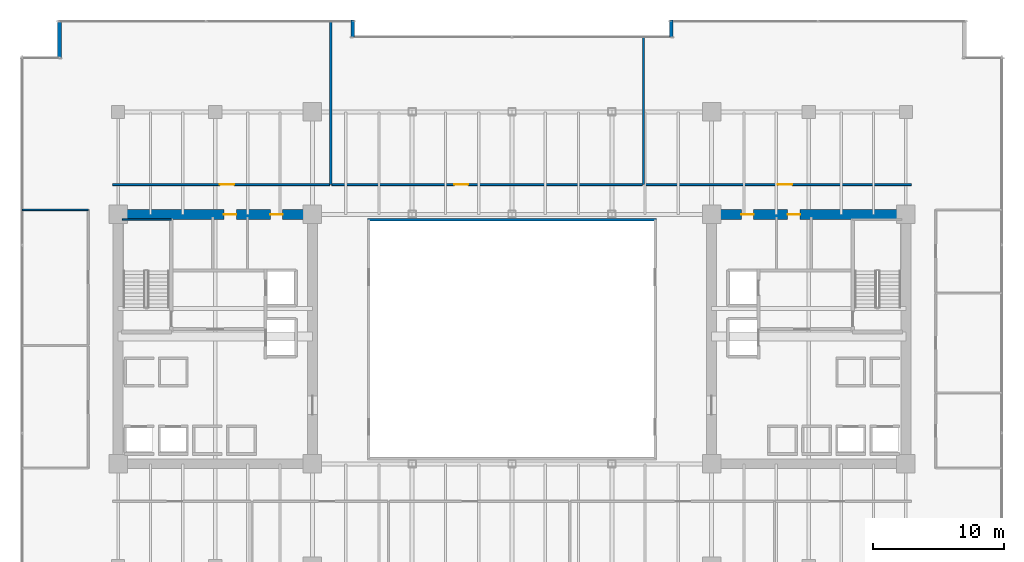
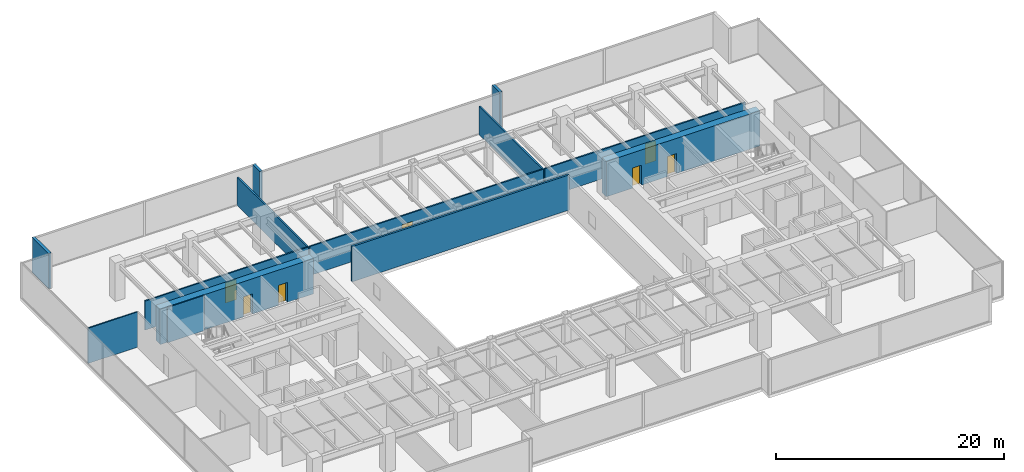
# One storey, part 31 of 35: 13 walls, 7 doors, 7 openings.
"""IFC4 building model written with IfcOpenShell, lengths in metres."""

from ifc_helpers import new_model, si_unit, direction, frame, frame_2d, origin, place, context, subcontext, project, spatial, rectangle, extrude, source, transform, mapped, material, layer, layer_set, type_object, type_shapes, element, fill, save


model = new_model("IFC4")

# Units and contexts
model_context = context("Model", 3, precision=1e-05, world=origin(), true_north=direction((0.0, 1.0)))
body_context = subcontext(model_context, "Body", "Model", "MODEL_VIEW")
ifc_project = project(units=[si_unit("LENGTHUNIT", "METRE"), si_unit("AREAUNIT", "SQUARE_METRE"), si_unit("VOLUMEUNIT", "CUBIC_METRE"), si_unit("PLANEANGLEUNIT", "RADIAN"), si_unit("MASSUNIT", "GRAM", prefix="KILO")], contexts=[model_context])

# Site, building, storey
site_placement = place(None, origin())
site = spatial("IfcSite", under=ifc_project, at=site_placement, CompositionType="ELEMENT")
building_placement = place(site_placement, origin())
building = spatial("IfcBuilding", under=site, at=building_placement, Name="Haelvirn Gate Laboratories", CompositionType="ELEMENT")
storey_placement = place(building_placement, frame((0.0, 0.0, 86.699951171875)))
storey = spatial("IfcBuildingStorey", under=building, at=storey_placement, Name="L21", CompositionType="ELEMENT", Elevation=86.699951171875)

# Walls
ifc_material_1 = material(Name="Thermally-broken bronze aluminium rainscreen & mineral wool", Category="aluminium")
ifc_layer_1 = layer(ifc_material_1, 0.280029296875, Name="EW-TERR-280")
ifc_layer_set_1 = layer_set([ifc_layer_1], Name="Thermally-broken bronze aluminium rainscreen & mineral wool")
wall_type_1 = type_object("IfcWallType", Name="EW-TERR-280", PredefinedType="STANDARD", material=ifc_layer_set_1)
for number, where, z_axis, x_axis, name in (
    (1, (49.5400390625, 48.60009765625, 0.0), (0.0, 0.0, 1.0), (0.0, -1.0, 0.0), "L21 Atrium Recess Bronze Return Wall 11"),
    (2, (25.260009765625, 47.31201171875, 0.0), (0.0, 0.0, 1.0), (0.0, 1.0, 0.0), "L21 Atrium Recess Bronze Return Wall 13"),
):
    element("IfcWall", number, at=place(storey_placement, frame(where, z_axis=z_axis, x_axis=x_axis)), inside=storey, type_object=wall_type_1, Name=name, PredefinedType="STANDARD", context=body_context, shape_type="SweptSolid", body=[
        extrude(rectangle(XDim=1.2880859375, YDim=0.280029296875, at=frame_2d((0.64404296875, 0.0))), origin(), (0.0, 0.0, 1.0), 3.780029296875),
    ])
wall_1_placement = place(storey_placement, frame((2.93994140625, 48.60009765625, 0.0), z_axis=(0.0, 0.0, 1.0), x_axis=(0.0, -1.0, 0.0)))
element("IfcWall", 3, at=wall_1_placement, inside=storey, type_object=wall_type_1, Name="L21 Atrium Recess Bronze Return Wall 15", PredefinedType="STANDARD", context=body_context, shape_type="SweptSolid", body=[
    extrude(rectangle(XDim=2.88818359375, YDim=0.280029296875, at=frame_2d((1.444091796875, 0.0))), origin(), (0.0, 0.0, 1.0), 3.780029296875),
])
ifc_material_2 = material(Name="Double-layer acoustic gypsum laboratory partition", Category="gypsum")
ifc_layer_2 = layer(ifc_material_2, 0.159912109375, Name="IW-ACOUST-160")
ifc_layer_set_2 = layer_set([ifc_layer_2], Name="Double-layer acoustic gypsum laboratory partition")
wall_type_2 = type_object("IfcWallType", Name="IW-ACOUST-160", PredefinedType="PARTITIONING", material=ifc_layer_set_2)
wall_2_placement = place(storey_placement, frame((23.60009765625, 36.06005859375, 0.0), z_axis=(0.0, 0.0, 1.0), x_axis=(0.0, 1.0, 0.0)))
element("IfcWall", 4, at=wall_2_placement, inside=storey, type_object=wall_type_2, Name="L21 Interior Wall IW-L21-NDIV-01", PredefinedType="PARTITIONING", context=body_context, shape_type="SweptSolid", body=[
    extrude(rectangle(XDim=12.429931640625, YDim=0.159912109375, at=frame_2d((6.21484375, 0.0))), origin(), (0.0, 0.0, 1.0), 3.01513671875),
])
wall_3_placement = place(storey_placement, frame((47.39990234375, 36.06005859375, 0.0), z_axis=(0.0, 0.0, 1.0), x_axis=(0.0, 1.0, 0.0)))
element("IfcWall", 5, at=wall_3_placement, inside=storey, type_object=wall_type_2, Name="L21 Interior Wall IW-L21-NDIV-02", PredefinedType="PARTITIONING", context=body_context, shape_type="SweptSolid", body=[
    extrude(rectangle(XDim=11.22998046875, YDim=0.159912109375, at=frame_2d((5.614990234375, 0.0))), origin(), (0.0, 0.0, 1.0), 3.01513671875),
])
ifc_material_3 = material(Name="Tempered fire-rated borosilicate glass & anodised aluminium", Category="aluminium")
ifc_layer_3 = layer(ifc_material_3, 0.195068359375, Name="IW-GLAZ-200")
ifc_layer_set_3 = layer_set([ifc_layer_3], Name="Tempered fire-rated borosilicate glass & anodised aluminium")
wall_type_3 = type_object("IfcWallType", Name="IW-GLAZ-200", PredefinedType="SOLIDWALL", material=ifc_layer_set_3)
wall_4_placement = place(storey_placement, frame((26.39990234375, 33.39990234375, 0.0), z_axis=(0.0, 0.0, 1.0), x_axis=(1.0, 0.0, 0.0)))
element("IfcWall", 6, at=wall_4_placement, inside=storey, type_object=wall_type_3, Name="L21 Interior Wall IW-L21-ATRIUM-N", PredefinedType="SOLIDWALL", context=body_context, shape_type="SweptSolid", body=[
    extrude(rectangle(XDim=22.0, YDim=0.195068359375, at=frame_2d((11.0, 0.0))), origin(), (0.0, 0.0, 1.0), 3.780029296875),
])
ifc_material_4 = material(Name="Lightweight acoustic gypsum board partition", Category="gypsum")
ifc_layer_4 = layer(ifc_material_4, 0.1201171875, Name="IW-PART-120")
ifc_layer_set_4 = layer_set([ifc_layer_4], Name="Lightweight acoustic gypsum board partition")
wall_type_4 = type_object("IfcWallType", Name="IW-PART-120", PredefinedType="PARTITIONING", material=ifc_layer_set_4)
wall_5_placement = place(storey_placement, frame((0.110107421875, 34.135009765625, 0.0), z_axis=(0.0, 0.0, 1.0), x_axis=(1.0, 0.0, 0.0)))
element("IfcWall", 7, at=wall_5_placement, inside=storey, type_object=wall_type_4, Name="L21 Interior Wall IW-L21-WCAP-N", PredefinedType="PARTITIONING", context=body_context, shape_type="SweptSolid", body=[
    extrude(rectangle(XDim=5.019775390625, YDim=0.1201171875, at=frame_2d((2.509765625, 0.0))), origin(), (0.0, 0.0, 1.0), 3.780029296875),
])

# Wall, opening, door
ifc_material_5 = material(Name="Acoustic mineral-wool gypsum board partition", Category="gypsum")
ifc_layer_5 = layer(ifc_material_5, 0.139892578125, Name="IW-PART-140")
ifc_layer_set_5 = layer_set([ifc_layer_5], Name="Acoustic mineral-wool gypsum board partition")
wall_type_5 = type_object("IfcWallType", Name="IW-PART-140", PredefinedType="PARTITIONING", material=ifc_layer_set_5)
wall_6_placement = place(storey_placement, frame((6.97998046875, 36.06005859375, 0.0), z_axis=(0.0, 0.0, 1.0), x_axis=(1.0, 0.0, 0.0)))
wall_6 = element("IfcWall", 8, at=wall_6_placement, inside=storey, type_object=wall_type_5, Name="L21 Interior Wall IW-L21-NCORR-01", PredefinedType="PARTITIONING", context=body_context, shape_type="SweptSolid", body=[
    extrude(rectangle(XDim=16.5400390625, YDim=0.139892578125, at=frame_2d((8.27001953125, 0.0))), origin(), (0.0, 0.0, 1.0), 3.114990234375),
])
opening_1_placement = place(wall_6_placement, frame((8.162109375, 0.0, 0.0)))
opening_1 = element("IfcOpeningElement", 9, at=opening_1_placement, cuts=wall_6, Name="Opening D1", PredefinedType="OPENING", context=body_context, shape_type="SweptSolid", body=[
    extrude(rectangle(XDim=1.10009765625, YDim=2.179931640625, at=frame_2d((0.550048828125, 1.08984375))), frame((0.0, 0.080078125, 0.0), z_axis=(0.0, -1.0, 0.0), x_axis=(1.0, 0.0, 0.0)), (0.0, 0.0, 1.0), 0.159912109375),
])
ifc_material_6 = material(Name="Vision-panel acoustic solid-core timber lab door", Category="wood")
door_type_1 = type_object("IfcDoorType", Name="DR-LAB-1100", OperationType="NOTDEFINED", PredefinedType="DOOR", material=ifc_material_6)
shared_shape_1 = source(origin(), body_context, "Body", "SweptSolid", [
    extrude(rectangle(XDim=1.10009765625, YDim=2.179931640625, at=frame_2d((0.550048828125, 1.08984375))), frame((0.0, 0.02490234375, 0.0), z_axis=(0.0, -1.0, 0.0), x_axis=(1.0, 0.0, 0.0)), (0.0, 0.0, 1.0), 0.050048828125),
])
type_shapes(door_type_1, [shared_shape_1])
door_1_placement = place(opening_1_placement, origin())
door_1 = element("IfcDoor", 10, at=door_1_placement, inside=storey, type_object=door_type_1, Name="L21 Peer-Review Seminar Room Door N1", OperationType="SINGLE_SWING_LEFT", OverallHeight=2.179931640625, OverallWidth=1.10009765625, PredefinedType="DOOR", context=body_context, shape_type="MappedRepresentation", body=[
    mapped(shared_shape_1, transform((0.0, 0.0, 0.0), scale=1.0)),
])
fill(opening_1, door_1)

wall_7_placement = place(storey_placement, frame((23.679931640625, 36.06005859375, 0.0), z_axis=(0.0, 0.0, 1.0), x_axis=(1.0, 0.0, 0.0)))
wall_7 = element("IfcWall", 11, at=wall_7_placement, inside=storey, type_object=wall_type_5, Name="L21 Interior Wall IW-L21-NCORR-02", PredefinedType="PARTITIONING", context=body_context, shape_type="SweptSolid", body=[
    extrude(rectangle(XDim=23.64013671875, YDim=0.139892578125, at=frame_2d((11.820068359375, 0.0))), origin(), (0.0, 0.0, 1.0), 3.114990234375),
])
opening_2_placement = place(wall_7_placement, frame((9.304443359375, 0.0, 0.0)))
opening_2 = element("IfcOpeningElement", 12, at=opening_2_placement, cuts=wall_7, Name="Opening D1", PredefinedType="OPENING", context=body_context, shape_type="SweptSolid", body=[
    extrude(rectangle(XDim=1.10009765625, YDim=2.179931640625, at=frame_2d((0.550048828125, 1.08984375))), frame((0.0, 0.080078125, 0.0), z_axis=(0.0, -1.0, 0.0), x_axis=(1.0, 0.0, 0.0)), (0.0, 0.0, 1.0), 0.159912109375),
])
door_2_placement = place(opening_2_placement, origin())
door_2 = element("IfcDoor", 13, at=door_2_placement, inside=storey, type_object=door_type_1, Name="L21 Researcher Break Pantry Door N2", OperationType="SINGLE_SWING_RIGHT", OverallHeight=2.179931640625, OverallWidth=1.10009765625, PredefinedType="DOOR", context=body_context, shape_type="MappedRepresentation", body=[
    mapped(shared_shape_1, transform((0.0, 0.0, 0.0), scale=1.0)),
])
fill(opening_2, door_2)

wall_8_placement = place(storey_placement, frame((47.47998046875, 36.06005859375, 0.0), z_axis=(0.0, 0.0, 1.0), x_axis=(1.0, 0.0, 0.0)))
wall_8 = element("IfcWall", 14, at=wall_8_placement, inside=storey, type_object=wall_type_5, Name="L21 Interior Wall IW-L21-NCORR-03", PredefinedType="PARTITIONING", context=body_context, shape_type="SweptSolid", body=[
    extrude(rectangle(XDim=20.340087890625, YDim=0.139892578125, at=frame_2d((10.169921875, 0.0))), origin(), (0.0, 0.0, 1.0), 3.114990234375),
])
opening_3_placement = place(wall_8_placement, frame((10.17626953125, 0.0, 0.0)))
opening_3 = element("IfcOpeningElement", 15, at=opening_3_placement, cuts=wall_8, Name="Opening D1", PredefinedType="OPENING", context=body_context, shape_type="SweptSolid", body=[
    extrude(rectangle(XDim=1.10009765625, YDim=2.179931640625, at=frame_2d((0.550048828125, 1.08984375))), frame((0.0, 0.080078125, 0.0), z_axis=(0.0, -1.0, 0.0), x_axis=(1.0, 0.0, 0.0)), (0.0, 0.0, 1.0), 0.159912109375),
])
door_3_placement = place(opening_3_placement, origin())
door_3 = element("IfcDoor", 16, at=door_3_placement, inside=storey, type_object=door_type_1, Name="L21 Floor Hydration & Tea Servery Door N3", OperationType="SINGLE_SWING_LEFT", OverallHeight=2.179931640625, OverallWidth=1.10009765625, PredefinedType="DOOR", context=body_context, shape_type="MappedRepresentation", body=[
    mapped(shared_shape_1, transform((0.0, 0.0, 0.0), scale=1.0)),
])
fill(opening_3, door_3)

# Wall, openings, doors
ifc_material_7 = material(Name="Concrete C70/85", Category="concrete")
ifc_layer_6 = layer(ifc_material_7, 0.75, Name="SW-CORE-750")
ifc_layer_set_6 = layer_set([ifc_layer_6], Name="Concrete C70/85")
wall_type_6 = type_object("IfcWallType", Name="SW-CORE-750", PredefinedType="SHEAR", material=ifc_layer_set_6)
wall_9_placement = place(storey_placement, frame((7.02490234375, 33.800048828125, 0.0), z_axis=(0.0, 0.0, 1.0), x_axis=(1.0, 0.0, 0.0)))
wall_9 = element("IfcWall", 17, at=wall_9_placement, inside=storey, type_object=wall_type_6, Name="L21 W Core Shear Wall N", PredefinedType="SHEAR", context=body_context, shape_type="SweptSolid", body=[
    extrude(rectangle(XDim=15.550048828125, YDim=0.75, at=frame_2d((7.77490234375, 0.0))), origin(), (0.0, 0.0, 1.0), 3.780029296875),
])
opening_4_placement = place(wall_9_placement, frame((8.425048828125, 0.0, 0.0)))
opening_4 = element("IfcOpeningElement", 18, at=opening_4_placement, cuts=wall_9, Name="Opening FD4", PredefinedType="OPENING", context=body_context, shape_type="SweptSolid", body=[
    extrude(rectangle(XDim=0.949951171875, YDim=2.14990234375, at=frame_2d((0.47509765625, 1.074951171875))), frame((0.0, 0.385009765625, 0.0), z_axis=(0.0, -1.0, 0.0), x_axis=(1.0, 0.0, 0.0)), (0.0, 0.0, 1.0), 0.77001953125),
])
opening_5_placement = place(wall_9_placement, frame((11.965087890625, 0.0, 0.0)))
opening_5 = element("IfcOpeningElement", 19, at=opening_5_placement, cuts=wall_9, Name="Opening FD4", PredefinedType="OPENING", context=body_context, shape_type="SweptSolid", body=[
    extrude(rectangle(XDim=0.949951171875, YDim=2.14990234375, at=frame_2d((0.47509765625, 1.074951171875))), frame((0.0, 0.385009765625, 0.0), z_axis=(0.0, -1.0, 0.0), x_axis=(1.0, 0.0, 0.0)), (0.0, 0.0, 1.0), 0.77001953125),
])
ifc_material_8 = material(Name="Fire-rated steel SM355 core service door", Category="steel")
door_type_2 = type_object("IfcDoorType", Name="DR-FD-950", OperationType="NOTDEFINED", PredefinedType="DOOR", material=ifc_material_8)
shared_shape_2 = source(origin(), body_context, "Body", "SweptSolid", [
    extrude(rectangle(XDim=0.949951171875, YDim=2.14990234375, at=frame_2d((0.47509765625, 1.074951171875))), frame((0.0, 0.02490234375, 0.0), z_axis=(0.0, -1.0, 0.0), x_axis=(1.0, 0.0, 0.0)), (0.0, 0.0, 1.0), 0.050048828125),
])
type_shapes(door_type_2, [shared_shape_2])
door_4_placement = place(opening_4_placement, origin())
door_4 = element("IfcDoor", 20, at=door_4_placement, inside=storey, type_object=door_type_2, Name="L21 Accessible Restroom Fire Door", OperationType="SINGLE_SWING_RIGHT", OverallHeight=2.14990234375, OverallWidth=0.949951171875, PredefinedType="DOOR", context=body_context, shape_type="MappedRepresentation", body=[
    mapped(shared_shape_2, transform((0.0, 0.0, 0.0), scale=1.0)),
])
fill(opening_4, door_4)
door_5_placement = place(opening_5_placement, origin())
door_5 = element("IfcDoor", 21, at=door_5_placement, inside=storey, type_object=door_type_2, Name="L21 Staff Restroom Fire Door", OperationType="SINGLE_SWING_LEFT", OverallHeight=2.14990234375, OverallWidth=0.949951171875, PredefinedType="DOOR", context=body_context, shape_type="MappedRepresentation", body=[
    mapped(shared_shape_2, transform((0.0, 0.0, 0.0), scale=1.0)),
])
fill(opening_5, door_5)

wall_10_placement = place(storey_placement, frame((52.22509765625, 33.800048828125, 0.0), z_axis=(0.0, 0.0, 1.0), x_axis=(1.0, 0.0, 0.0)))
wall_10 = element("IfcWall", 22, at=wall_10_placement, inside=storey, type_object=wall_type_6, Name="L21 E Core Shear Wall N", PredefinedType="SHEAR", context=body_context, shape_type="SweptSolid", body=[
    extrude(rectangle(XDim=15.5498046875, YDim=0.75, at=frame_2d((7.77490234375, 0.0))), origin(), (0.0, 0.0, 1.0), 3.780029296875),
])
opening_6_placement = place(wall_10_placement, frame((6.175048828125, 0.0, 0.0)))
opening_6 = element("IfcOpeningElement", 23, at=opening_6_placement, cuts=wall_10, Name="Opening FD4", PredefinedType="OPENING", context=body_context, shape_type="SweptSolid", body=[
    extrude(rectangle(XDim=0.949951171875, YDim=2.14990234375, at=frame_2d((0.47509765625, 1.074951171875))), frame((0.0, 0.385009765625, 0.0), z_axis=(0.0, -1.0, 0.0), x_axis=(1.0, 0.0, 0.0)), (0.0, 0.0, 1.0), 0.77001953125),
])
opening_7_placement = place(wall_10_placement, frame((2.635009765625, 0.0, 0.0)))
opening_7 = element("IfcOpeningElement", 24, at=opening_7_placement, cuts=wall_10, Name="Opening FD4", PredefinedType="OPENING", context=body_context, shape_type="SweptSolid", body=[
    extrude(rectangle(XDim=0.949951171875, YDim=2.14990234375, at=frame_2d((0.47509765625, 1.074951171875))), frame((0.0, 0.385009765625, 0.0), z_axis=(0.0, -1.0, 0.0), x_axis=(1.0, 0.0, 0.0)), (0.0, 0.0, 1.0), 0.77001953125),
])
door_6_placement = place(opening_6_placement, origin())
door_6 = element("IfcDoor", 25, at=door_6_placement, inside=storey, type_object=door_type_2, Name="L21 Accessible Restroom Fire Door", OperationType="SINGLE_SWING_RIGHT", OverallHeight=2.14990234375, OverallWidth=0.949951171875, PredefinedType="DOOR", context=body_context, shape_type="MappedRepresentation", body=[
    mapped(shared_shape_2, transform((0.0, 0.0, 0.0), scale=1.0)),
])
fill(opening_6, door_6)
door_7_placement = place(opening_7_placement, origin())
door_7 = element("IfcDoor", 26, at=door_7_placement, inside=storey, type_object=door_type_2, Name="L21 Staff Restroom Fire Door", OperationType="SINGLE_SWING_LEFT", OverallHeight=2.14990234375, OverallWidth=0.949951171875, PredefinedType="DOOR", context=body_context, shape_type="MappedRepresentation", body=[
    mapped(shared_shape_2, transform((0.0, 0.0, 0.0), scale=1.0)),
])
fill(opening_7, door_7)

# Wall
ifc_material_9 = material(Name="Concrete C50/60", Category="concrete")
ifc_layer_7 = layer(ifc_material_9, 0.1201171875, Name="SW-LINER-120")
ifc_layer_set_7 = layer_set([ifc_layer_7], Name="Concrete C50/60")
wall_type_7 = type_object("IfcWallType", Name="SW-LINER-120", PredefinedType="SOLIDWALL", material=ifc_layer_set_7)
wall_11_placement = place(storey_placement, frame((7.72998046875, 33.39990234375, 0.0), z_axis=(0.0, 0.0, 1.0), x_axis=(1.0, 0.0, 0.0)))
element("IfcWall", 27, at=wall_11_placement, inside=storey, type_object=wall_type_7, Name="L21 W Core Stair Shaft Liner Wall N", PredefinedType="SOLIDWALL", context=body_context, shape_type="SweptSolid", body=[
    extrude(rectangle(XDim=3.719970703125, YDim=0.1201171875, at=frame_2d((1.85986328125, 0.0))), origin(), (0.0, 0.0, 1.0), 3.780029296875),
])

save(model, "model.ifc")
